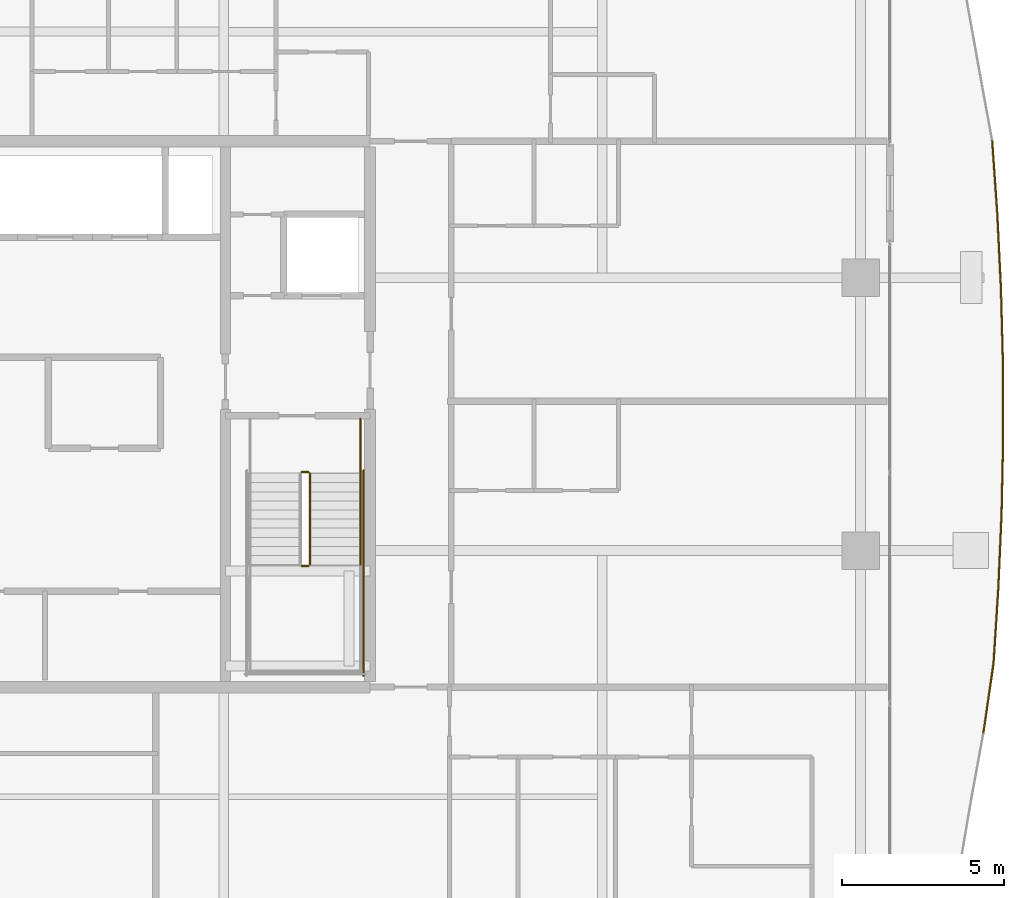
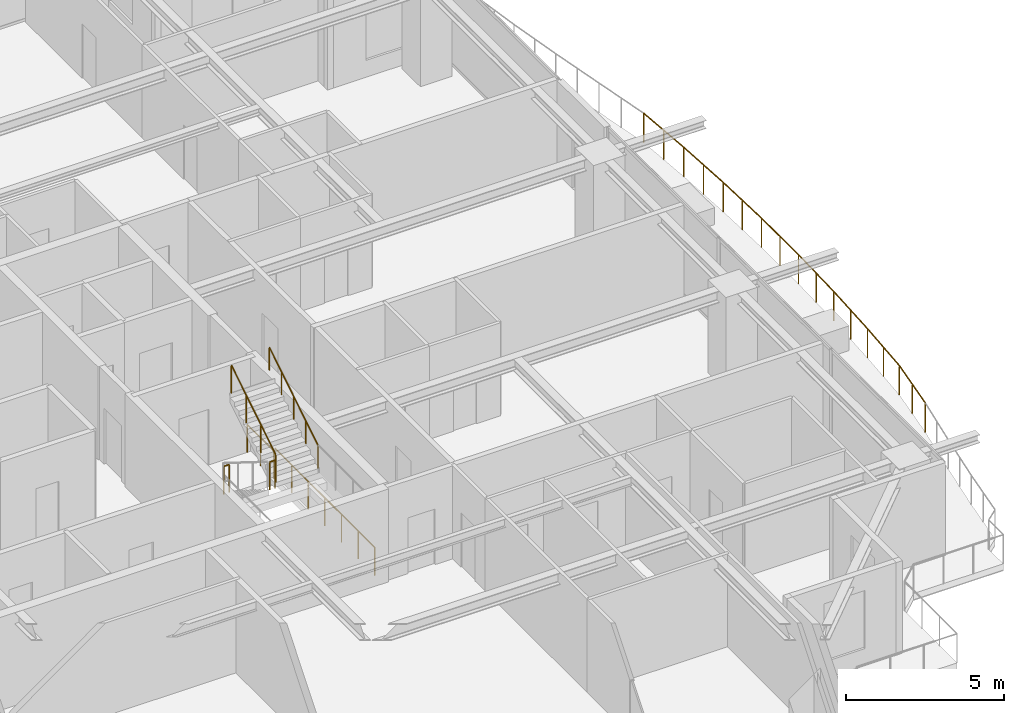
# One storey, part 36 of 37: 7 railings.
"""IFC4 building model written with IfcOpenShell, lengths in metres."""

from ifc_helpers import new_model, si_unit, direction, frame, origin, origin_2d, place, context, subcontext, project, spatial, circle, extrude, material, type_object, element, save


model = new_model("IFC4")

# Units and contexts
model_context = context("Model", 3, precision=1e-05, world=origin(), true_north=direction((0.0, 1.0)))
body_context = subcontext(model_context, "Body", "Model", "MODEL_VIEW")
ifc_project = project(units=[si_unit("LENGTHUNIT", "METRE"), si_unit("AREAUNIT", "SQUARE_METRE"), si_unit("VOLUMEUNIT", "CUBIC_METRE"), si_unit("PLANEANGLEUNIT", "RADIAN"), si_unit("MASSUNIT", "GRAM", prefix="KILO")], contexts=[model_context])

# Site, building, storey
site_placement = place(None, origin())
site = spatial("IfcSite", under=ifc_project, at=site_placement, CompositionType="ELEMENT")
building_placement = place(site_placement, origin())
building = spatial("IfcBuilding", under=site, at=building_placement, Name="Serunith Strait Residences", CompositionType="ELEMENT")
storey_placement = place(building_placement, frame((0.0, 0.0, 260.5)))
storey = spatial("IfcBuildingStorey", under=building, at=storey_placement, Name="L65", CompositionType="ELEMENT", Elevation=260.5)

# Railings
ifc_material_1 = material(Name="Stainless Steel & Laminated Glass Balustrade", Category="steel")
railing_type_1 = type_object("IfcRailingType", Name="RLG-BALC-1150", PredefinedType="BALUSTRADE", material=ifc_material_1)
railing_1_placement = place(storey_placement, frame((60.5498046875, 33.64501953125, -0.050048828125)))
element("IfcRailing", 1, at=railing_1_placement, inside=storey, type_object=railing_type_1, Name="L65 Swirling Balcony Perimeter Balustrade 4", PredefinedType="BALUSTRADE", context=body_context, shape_type="SweptSolid", body=[
    extrude(circle(Radius=0.02392578125, at=origin_2d()), frame((0.000244140625, -0.001953125, 1.1259765625), z_axis=(0.069802370353, -0.997560839795, 0.0), x_axis=(0.997560839795, 0.069802370353, 0.0)), (0.0, 0.0, 1.0), 2.265869140625),
    extrude(circle(Radius=0.02392578125, at=origin_2d()), frame((0.158447265625, -2.266357421875, 1.1259765625), z_axis=(0.049058442513, -0.998795909692, 0.0), x_axis=(0.998795909692, 0.049058442513, 0.0)), (0.0, 0.0, 1.0), 2.295166015625),
    extrude(circle(Radius=0.02392578125, at=origin_2d()), frame((0.271240234375, -4.562744140625, 1.1259765625), z_axis=(0.026852212225, -0.999639414338, 0.0), x_axis=(0.999639414338, 0.026852212225, 0.0)), (0.0, 0.0, 1.0), 2.314453125),
    extrude(circle(Radius=0.02392578125, at=origin_2d()), frame((0.33349609375, -6.88037109375, 1.1259765625), z_axis=(0.002833444393, -0.999995985788, 0.0), x_axis=(0.999995985788, 0.002833444393, 0.0)), (0.0, 0.0, 1.0), 2.322509765625),
    extrude(circle(Radius=0.02392578125, at=origin_2d()), frame((0.340087890625, -9.206787109375, 1.1259765625), z_axis=(-0.021345577189, -0.999772157211, 0.0), x_axis=(0.999772157211, -0.021345577189, 0.0)), (0.0, 0.0, 1.0), 2.31787109375),
    extrude(circle(Radius=0.02392578125, at=origin_2d()), frame((0.29052734375, -11.528076171875, 1.1259765625), z_axis=(-0.043947323258, -0.999033849666, 0.0), x_axis=(0.999033849666, -0.043947323258, 0.0)), (0.0, 0.0, 1.0), 2.301513671875),
    extrude(circle(Radius=0.02392578125, at=origin_2d()), frame((0.18896484375, -13.831298828125, 1.1259765625), z_axis=(-0.063398334035, -0.997988302157, 0.0), x_axis=(0.997988302157, -0.063398334035, 0.0)), (0.0, 0.0, 1.0), 2.275634765625),
    extrude(circle(Radius=0.02392578125, at=origin_2d()), frame((0.04443359375, -16.1064453125, 1.1259765625), z_axis=(-0.143969309904, -0.989582153136, 0.0), x_axis=(0.989582153136, -0.143969309904, 0.0)), (0.0, 0.0, 1.0), 2.208984375),
    extrude(circle(Radius=0.02099609375, at=origin_2d()), origin(), (0.0, 0.0, 1.0), 1.099853515625),
    extrude(circle(Radius=0.02099609375, at=origin_2d()), frame((0.0791015625, -1.13232421875, 0.0)), (0.0, 0.0, 1.0), 1.099853515625),
    extrude(circle(Radius=0.02099609375, at=origin_2d()), frame((0.158447265625, -2.264404296875, 0.0)), (0.0, 0.0, 1.0), 1.099853515625),
    extrude(circle(Radius=0.02099609375, at=origin_2d()), frame((0.21484375, -3.41259765625, 0.0)), (0.0, 0.0, 1.0), 1.099853515625),
    extrude(circle(Radius=0.02099609375, at=origin_2d()), frame((0.271240234375, -4.560791015625, 0.0)), (0.0, 0.0, 1.0), 1.099853515625),
    extrude(circle(Radius=0.02099609375, at=origin_2d()), frame((0.30224609375, -5.7197265625, 0.0)), (0.0, 0.0, 1.0), 1.099853515625),
    extrude(circle(Radius=0.02099609375, at=origin_2d()), frame((0.33349609375, -6.87841796875, 0.0)), (0.0, 0.0, 1.0), 1.099853515625),
    extrude(circle(Radius=0.02099609375, at=origin_2d()), frame((0.3369140625, -8.04150390625, 0.0)), (0.0, 0.0, 1.0), 1.099853515625),
    extrude(circle(Radius=0.02099609375, at=origin_2d()), frame((0.340087890625, -9.204833984375, 0.0)), (0.0, 0.0, 1.0), 1.099853515625),
    extrude(circle(Radius=0.02099609375, at=origin_2d()), frame((0.3154296875, -10.365478515625, 0.0)), (0.0, 0.0, 1.0), 1.099853515625),
    extrude(circle(Radius=0.02099609375, at=origin_2d()), frame((0.29052734375, -11.526123046875, 0.0)), (0.0, 0.0, 1.0), 1.099853515625),
    extrude(circle(Radius=0.02099609375, at=origin_2d()), frame((0.23974609375, -12.677734375, 0.0)), (0.0, 0.0, 1.0), 1.099853515625),
    extrude(circle(Radius=0.02099609375, at=origin_2d()), frame((0.189208984375, -13.829345703125, 0.0)), (0.0, 0.0, 1.0), 1.099853515625),
    extrude(circle(Radius=0.02099609375, at=origin_2d()), frame((0.116943359375, -14.966796875, 0.0)), (0.0, 0.0, 1.0), 1.099853515625),
    extrude(circle(Radius=0.02099609375, at=origin_2d()), frame((0.044677734375, -16.1044921875, 0.0)), (0.0, 0.0, 1.0), 1.099853515625),
    extrude(circle(Radius=0.02099609375, at=origin_2d()), frame((-0.11474609375, -17.199462890625, 0.0)), (0.0, 0.0, 1.0), 1.099853515625),
    extrude(circle(Radius=0.02099609375, at=origin_2d()), frame((-0.27392578125, -18.29443359375, 0.0)), (0.0, 0.0, 1.0), 1.099853515625),
])
ifc_material_2 = material(Name="Brushed stainless steel 316L", Category="steel")
railing_type_2 = type_object("IfcRailingType", Name="RLG-STAIR-GUARD", PredefinedType="BALUSTRADE", material=ifc_material_2)
railing_2_placement = place(storey_placement, frame((39.300048828125, 20.52001953125, 1.925048828125)))
element("IfcRailing", 2, at=railing_2_placement, inside=storey, type_object=railing_type_2, Name="L65 ST-2 stair guard 2", PredefinedType="BALUSTRADE", context=body_context, shape_type="SweptSolid", body=[
    extrude(circle(Radius=0.02392578125, at=origin_2d()), frame((0.001953125, 0.0, 1.076171875), z_axis=(1.0, 0.0, 0.0), x_axis=(0.0, 1.0, 0.0)), (0.0, 0.0, 1.0), 0.196044921875),
    extrude(circle(Radius=0.02099609375, at=origin_2d()), origin(), (0.0, 0.0, 1.0), 1.050048828125),
    extrude(circle(Radius=0.02099609375, at=origin_2d()), frame((0.199951171875, 0.0, 0.0)), (0.0, 0.0, 1.0), 1.050048828125),
])
railing_3_placement = place(storey_placement, frame((39.550048828125, 20.570068359375, 2.10009765625)))
element("IfcRailing", 3, at=railing_3_placement, inside=storey, type_object=railing_type_2, Name="L65 ST-2 stair guard 6", PredefinedType="BALUSTRADE", context=body_context, shape_type="SweptSolid", body=[
    extrude(circle(Radius=0.02392578125, at=origin_2d()), frame((0.0, 0.001708984375, 1.0771484375), z_axis=(0.0, 0.848002457836, 0.529992293815), x_axis=(-1.0, 0.0, 0.0)), (0.0, 0.0, 1.0), 3.2978515625),
    extrude(circle(Radius=0.02099609375, at=origin_2d()), origin(), (0.0, 0.0, 1.0), 1.050048828125),
    extrude(circle(Radius=0.02099609375, at=origin_2d()), frame((0.0, 0.933349609375, 0.583251953125)), (0.0, 0.0, 1.0), 1.050048828125),
    extrude(circle(Radius=0.02099609375, at=origin_2d()), frame((0.0, 1.86669921875, 1.166748046875)), (0.0, 0.0, 1.0), 1.050048828125),
    extrude(circle(Radius=0.02099609375, at=origin_2d()), frame((0.0, 2.800048828125, 1.75)), (0.0, 0.0, 1.0), 1.050048828125),
])
railing_4_placement = place(storey_placement, frame((39.300048828125, 23.419921875, 0.0)))
element("IfcRailing", 4, at=railing_4_placement, inside=storey, type_object=railing_type_2, Name="L65 ST-2 stair guard 7", PredefinedType="BALUSTRADE", context=body_context, shape_type="SweptSolid", body=[
    extrude(circle(Radius=0.02392578125, at=origin_2d()), frame((0.001953125, 0.0, 1.076171875), z_axis=(1.0, 0.0, 0.0), x_axis=(0.0, 1.0, 0.0)), (0.0, 0.0, 1.0), 0.196044921875),
    extrude(circle(Radius=0.02099609375, at=origin_2d()), origin(), (0.0, 0.0, 1.0), 1.050048828125),
    extrude(circle(Radius=0.02099609375, at=origin_2d()), frame((0.199951171875, 0.0, 0.0)), (0.0, 0.0, 1.0), 1.050048828125),
])
railing_5_placement = place(storey_placement, frame((41.10009765625, 25.050048828125, 0.0)))
element("IfcRailing", 5, at=railing_5_placement, inside=storey, type_object=railing_type_2, Name="L65 ST-2 stair guard 9", PredefinedType="BALUSTRADE", context=body_context, shape_type="SweptSolid", body=[
    extrude(circle(Radius=0.02392578125, at=origin_2d()), frame((0.0, -0.001953125, 1.076171875), z_axis=(0.0, -1.0, 0.0), x_axis=(1.0, 0.0, 0.0)), (0.0, 0.0, 1.0), 1.676025390625),
    extrude(circle(Radius=0.02099609375, at=origin_2d()), origin(), (0.0, 0.0, 1.0), 1.050048828125),
    extrude(circle(Radius=0.02099609375, at=origin_2d()), frame((0.0, -0.83984375, 0.0)), (0.0, 0.0, 1.0), 1.050048828125),
    extrude(circle(Radius=0.02099609375, at=origin_2d()), frame((0.0, -1.679931640625, 0.0)), (0.0, 0.0, 1.0), 1.050048828125),
])
railing_6_placement = place(storey_placement, frame((41.199951171875, 23.469970703125, 0.0)))
element("IfcRailing", 6, at=railing_6_placement, inside=storey, type_object=railing_type_2, Name="L65 ST-2 stair guard 11", PredefinedType="BALUSTRADE", context=body_context, shape_type="SweptSolid", body=[
    extrude(circle(Radius=0.02392578125, at=origin_2d()), frame((0.0, -0.001953125, 1.076171875), z_axis=(0.0, -1.0, 0.0), x_axis=(1.0, 0.0, 0.0)), (0.0, 0.0, 1.0), 6.316162109375),
    extrude(circle(Radius=0.02099609375, at=origin_2d()), origin(), (0.0, 0.0, 1.0), 1.050048828125),
    extrude(circle(Radius=0.02099609375, at=origin_2d()), frame((0.0, -1.05322265625, 0.0)), (0.0, 0.0, 1.0), 1.050048828125),
    extrude(circle(Radius=0.02099609375, at=origin_2d()), frame((0.0, -2.106689453125, 0.0)), (0.0, 0.0, 1.0), 1.050048828125),
    extrude(circle(Radius=0.02099609375, at=origin_2d()), frame((0.0, -3.16015625, 0.0)), (0.0, 0.0, 1.0), 1.050048828125),
    extrude(circle(Radius=0.02099609375, at=origin_2d()), frame((0.0, -4.21337890625, 0.0)), (0.0, 0.0, 1.0), 1.050048828125),
    extrude(circle(Radius=0.02099609375, at=origin_2d()), frame((0.0, -5.2666015625, 0.0)), (0.0, 0.0, 1.0), 1.050048828125),
    extrude(circle(Radius=0.02099609375, at=origin_2d()), frame((0.0, -6.320068359375, 0.0)), (0.0, 0.0, 1.0), 1.050048828125),
])
railing_type_3 = type_object("IfcRailingType", Name="RLG-STAIR-HR", PredefinedType="HANDRAIL", material=ifc_material_2)
railing_7_placement = place(storey_placement, frame((41.10009765625, 20.570068359375, 2.10009765625)))
element("IfcRailing", 7, at=railing_7_placement, inside=storey, type_object=railing_type_3, Name="L65 ST-2 stair handrail 2", PredefinedType="HANDRAIL", context=body_context, shape_type="SweptSolid", body=[
    extrude(circle(Radius=0.02392578125, at=origin_2d()), frame((0.0, 0.001708984375, 0.876953125), z_axis=(0.0, 0.847375056783, 0.530994833442), x_axis=(-1.0, 0.0, 0.0)), (0.0, 0.0, 1.0), 3.630615234375),
    extrude(circle(Radius=0.02099609375, at=origin_2d()), origin(), (0.0, 0.0, 1.0), 0.849853515625),
    extrude(circle(Radius=0.02099609375, at=origin_2d()), frame((0.0, 0.77001953125, 0.482421875)), (0.0, 0.0, 1.0), 0.849853515625),
    extrude(circle(Radius=0.02099609375, at=origin_2d()), frame((0.0, 1.5400390625, 0.96484375)), (0.0, 0.0, 1.0), 0.849853515625),
    extrude(circle(Radius=0.02099609375, at=origin_2d()), frame((0.0, 2.309814453125, 1.447509765625)), (0.0, 0.0, 1.0), 0.849853515625),
    extrude(circle(Radius=0.02099609375, at=origin_2d()), frame((0.0, 3.079833984375, 1.929931640625)), (0.0, 0.0, 1.0), 0.849853515625),
])

save(model, "model.ifc")
